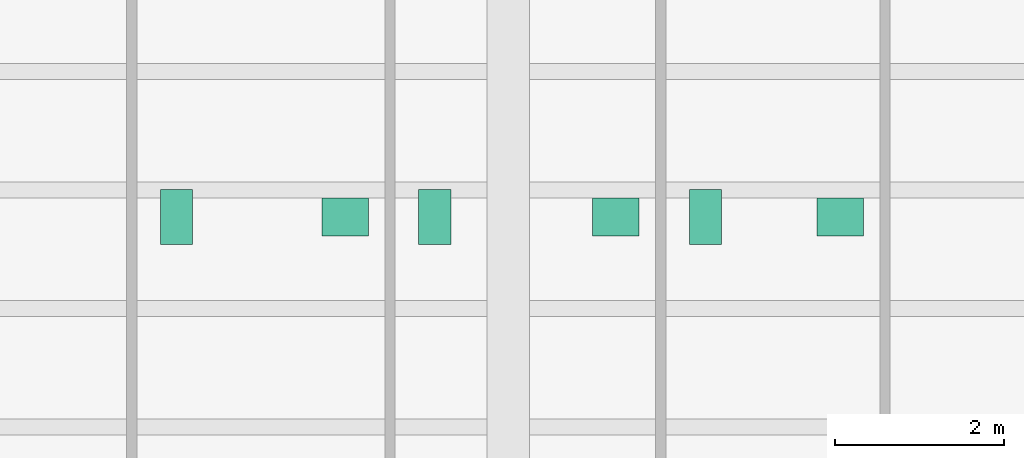
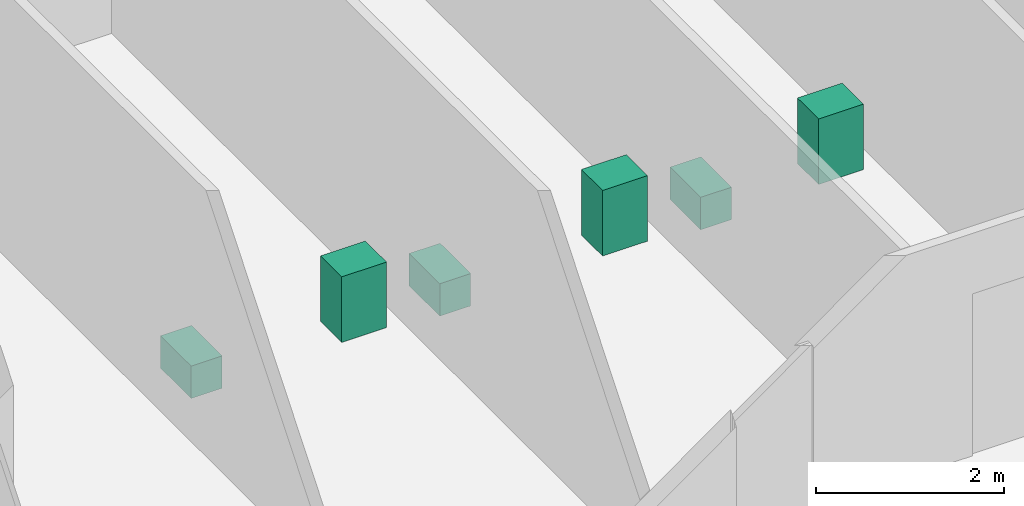
# One storey, part 12 of 12: 6 sanitary terminals.
"""IFC4 building model written with IfcOpenShell, lengths in metres."""

from ifc_helpers import new_model, si_unit, direction, frame, origin, origin_2d, place, context, subcontext, project, spatial, rectangle, extrude, material, type_object, element, save


model = new_model("IFC4")

# Units and contexts
model_context = context("Model", 3, precision=1e-05, world=origin(), true_north=direction((0.0, 1.0)))
body_context = subcontext(model_context, "Body", "Model", "MODEL_VIEW")
ifc_project = project(units=[si_unit("LENGTHUNIT", "METRE"), si_unit("AREAUNIT", "SQUARE_METRE"), si_unit("VOLUMEUNIT", "CUBIC_METRE"), si_unit("PLANEANGLEUNIT", "RADIAN"), si_unit("MASSUNIT", "GRAM", prefix="KILO")], contexts=[model_context])

# Site, building, storey
site_placement = place(None, origin())
site = spatial("IfcSite", under=ifc_project, at=site_placement, CompositionType="ELEMENT")
building_placement = place(site_placement, origin())
building = spatial("IfcBuilding", under=site, at=building_placement, Name="Kranthara Brick Stack", CompositionType="ELEMENT")
storey_placement = place(building_placement, frame((0.0, 0.0, 90.60009765625)))
storey = spatial("IfcBuildingStorey", under=building, at=storey_placement, Name="L22", CompositionType="ELEMENT", Elevation=90.60009765625)

# Sanitary terminals
ifc_material_1 = material(Name="Vitreous china sanitary porcelain", Category="other")
sanitary_terminal_type_1 = type_object("IfcSanitaryTerminalType", Name="SAN-BASIN", PredefinedType="WASHHANDBASIN", material=ifc_material_1)
for number, where, z_axis, x_axis, name in (
    (1, (26.070068359375, 29.985107421875, -0.000244140625), (0.0, 0.0, 1.0), (1.0, 0.0, 0.0), "L22 Washbasin 68"),
    (2, (29.27001953125, 29.985107421875, -0.000244140625), (0.0, 0.0, 1.0), (1.0, 0.0, 0.0), "L22 Washbasin 69"),
    (3, (31.919921875, 29.985107421875, -0.000244140625), (0.0, 0.0, 1.0), (1.0, 0.0, 0.0), "L22 Washbasin 70"),
):
    element("IfcSanitaryTerminal", number, at=place(storey_placement, frame(where, z_axis=z_axis, x_axis=x_axis)), inside=storey, type_object=sanitary_terminal_type_1, Name=name, PredefinedType="WASHHANDBASIN", context=body_context, shape_type="SweptSolid", body=[
        extrude(rectangle(XDim=0.550048828125, YDim=0.449951171875, at=origin_2d()), origin(), (0.0, 0.0, 1.0), 0.85009765625),
    ])
ifc_material_2 = material(Name="Vitreous china sanitary porcelain", Category="other")
sanitary_terminal_type_2 = type_object("IfcSanitaryTerminalType", Name="SAN-WC-PAN", PredefinedType="TOILETPAN", material=ifc_material_2)
for number, where, z_axis, x_axis, name in (
    (4, (24.080078125, 29.985107421875, 0.0), (0.0, 0.0, 1.0), (1.0, 0.0, 0.0), "L22 WC Pan 68"),
    (5, (27.1298828125, 29.985107421875, 0.0), (0.0, 0.0, 1.0), (1.0, 0.0, 0.0), "L22 WC Pan 69"),
    (6, (30.330078125, 29.985107421875, 0.0), (0.0, 0.0, 1.0), (1.0, 0.0, 0.0), "L22 WC Pan 70"),
):
    element("IfcSanitaryTerminal", number, at=place(storey_placement, frame(where, z_axis=z_axis, x_axis=x_axis)), inside=storey, type_object=sanitary_terminal_type_2, Name=name, PredefinedType="TOILETPAN", context=body_context, shape_type="SweptSolid", body=[
        extrude(rectangle(XDim=0.3798828125, YDim=0.64990234375, at=origin_2d()), origin(), (0.0, 0.0, 1.0), 0.419921875),
    ])

save(model, "model.ifc")
